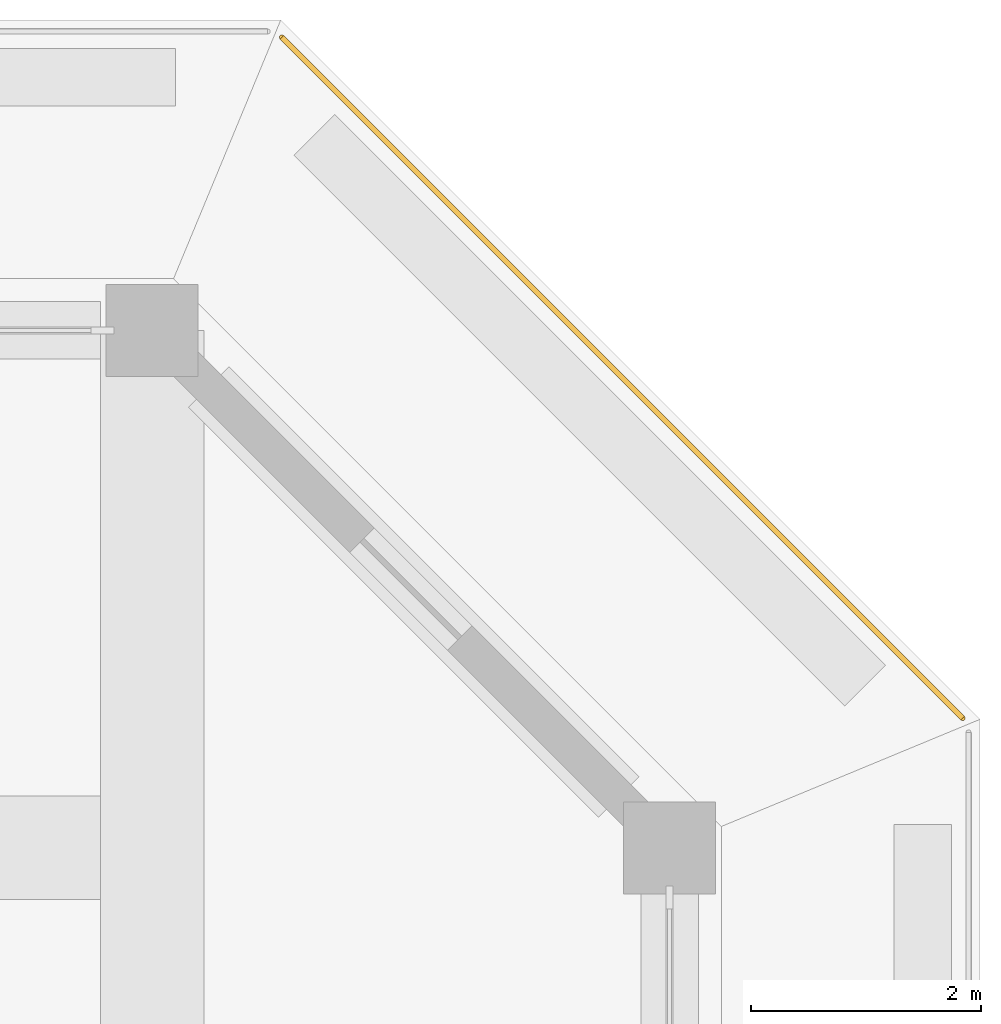
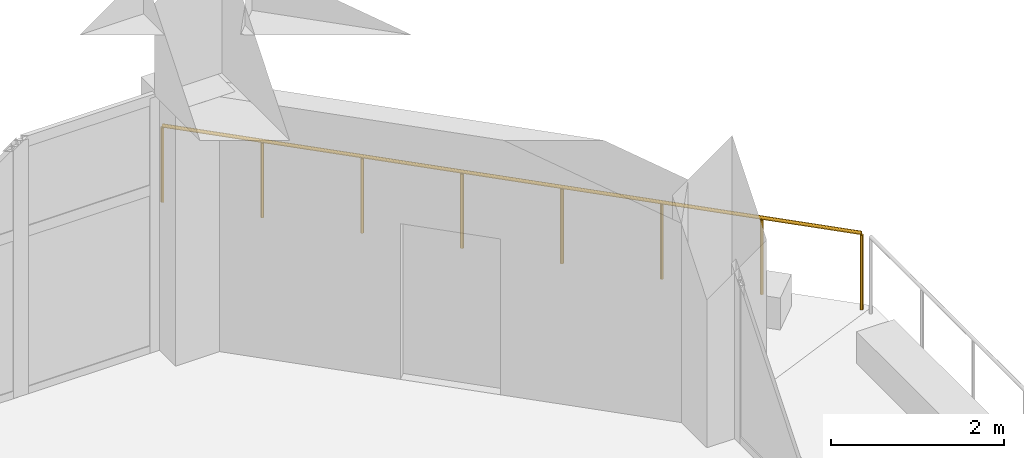
# One storey, part 19 of 20: 1 railing.
"""IFC4 building model written with IfcOpenShell, lengths in metres."""

from ifc_helpers import new_model, si_unit, direction, frame, origin, origin_2d, place, context, subcontext, project, spatial, circle, extrude, material, type_object, element, save


model = new_model("IFC4")

# Units and contexts
model_context = context("Model", 3, precision=1e-05, world=origin(), true_north=direction((0.0, 1.0)))
body_context = subcontext(model_context, "Body", "Model", "MODEL_VIEW")
ifc_project = project(units=[si_unit("LENGTHUNIT", "METRE"), si_unit("AREAUNIT", "SQUARE_METRE"), si_unit("VOLUMEUNIT", "CUBIC_METRE"), si_unit("PLANEANGLEUNIT", "RADIAN"), si_unit("MASSUNIT", "GRAM", prefix="KILO")], contexts=[model_context])

# Site, building, storey
site_placement = place(None, origin())
site = spatial("IfcSite", under=ifc_project, at=site_placement, CompositionType="ELEMENT")
building_placement = place(site_placement, origin())
building = spatial("IfcBuilding", under=site, at=building_placement, Name="Corbel Stack Research Tower", CompositionType="ELEMENT")
storey_placement = place(building_placement, frame((0.0, 0.0, 295.0)))
storey = spatial("IfcBuildingStorey", under=building, at=storey_placement, Name="L67", CompositionType="ELEMENT", Elevation=295.0)

# Railing
ifc_material = material(Name="Powder-coated steel guard", Category="steel")
railing_type = type_object("IfcRailingType", Name="Steel and glass guard 1100", PredefinedType="GUARDRAIL", material=ifc_material)
railing_placement = place(storey_placement, frame((25.04931640625, 23.627685546875, 0.0)))
element("IfcRailing", 1, at=railing_placement, inside=storey, type_object=railing_type, Name="Loggia guard L67 NE", PredefinedType="GUARDRAIL", context=body_context, shape_type="SweptSolid", body=[
    extrude(circle(Radius=0.02392578125, at=origin_2d()), frame((0.0, 0.0, 1.076171875), z_axis=(-0.707106781187, 0.707106781187, 0.0), x_axis=(-0.707106781187, -0.707106781187, 0.0)), (0.0, 0.0, 1.0), 8.37451171875),
    extrude(circle(Radius=0.02099609375, at=origin_2d()), origin(), (0.0, 0.0, 1.0), 1.052001953125),
    extrude(circle(Radius=0.02099609375, at=origin_2d()), frame((-0.845947265625, 0.845947265625, 0.0)), (0.0, 0.0, 1.0), 1.052001953125),
    extrude(circle(Radius=0.02099609375, at=origin_2d()), frame((-1.69189453125, 1.69189453125, 0.0)), (0.0, 0.0, 1.0), 1.052001953125),
    extrude(circle(Radius=0.02099609375, at=origin_2d()), frame((-2.537841796875, 2.537841796875, 0.0)), (0.0, 0.0, 1.0), 1.052001953125),
    extrude(circle(Radius=0.02099609375, at=origin_2d()), frame((-3.3837890625, 3.3837890625, 0.0)), (0.0, 0.0, 1.0), 1.052001953125),
    extrude(circle(Radius=0.02099609375, at=origin_2d()), frame((-4.229736328125, 4.229736328125, 0.0)), (0.0, 0.0, 1.0), 1.052001953125),
    extrude(circle(Radius=0.02099609375, at=origin_2d()), frame((-5.07568359375, 5.07568359375, 0.0)), (0.0, 0.0, 1.0), 1.052001953125),
    extrude(circle(Radius=0.02099609375, at=origin_2d()), frame((-5.921630859375, 5.921630859375, 0.0)), (0.0, 0.0, 1.0), 1.052001953125),
])

save(model, "model.ifc")
